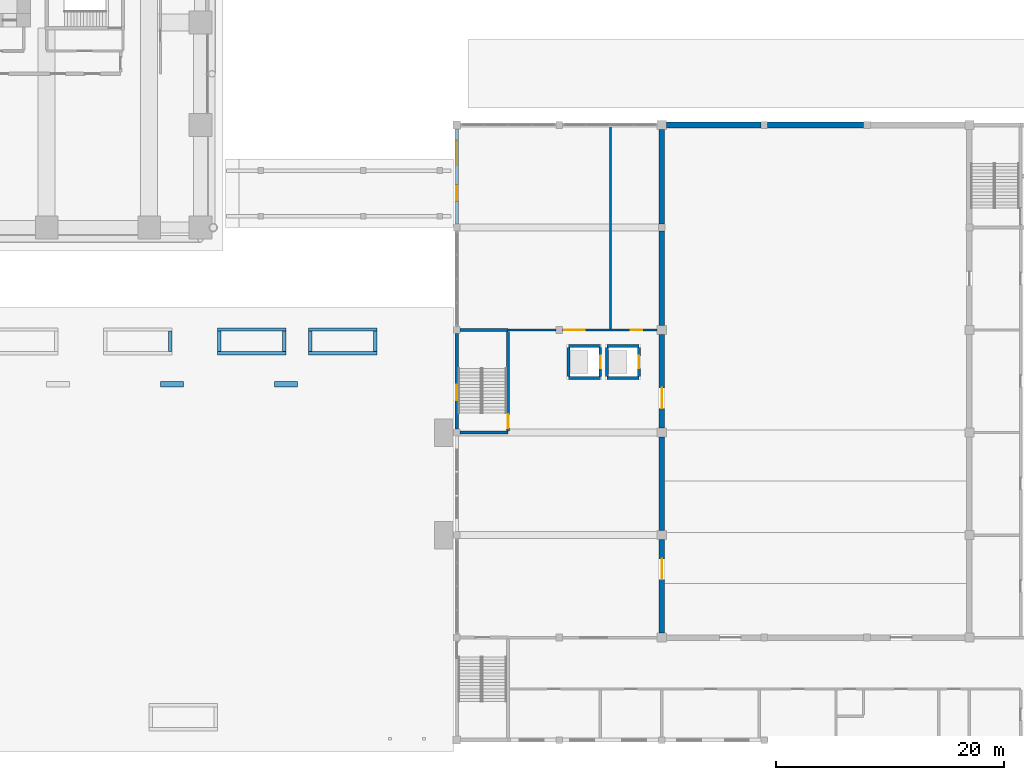
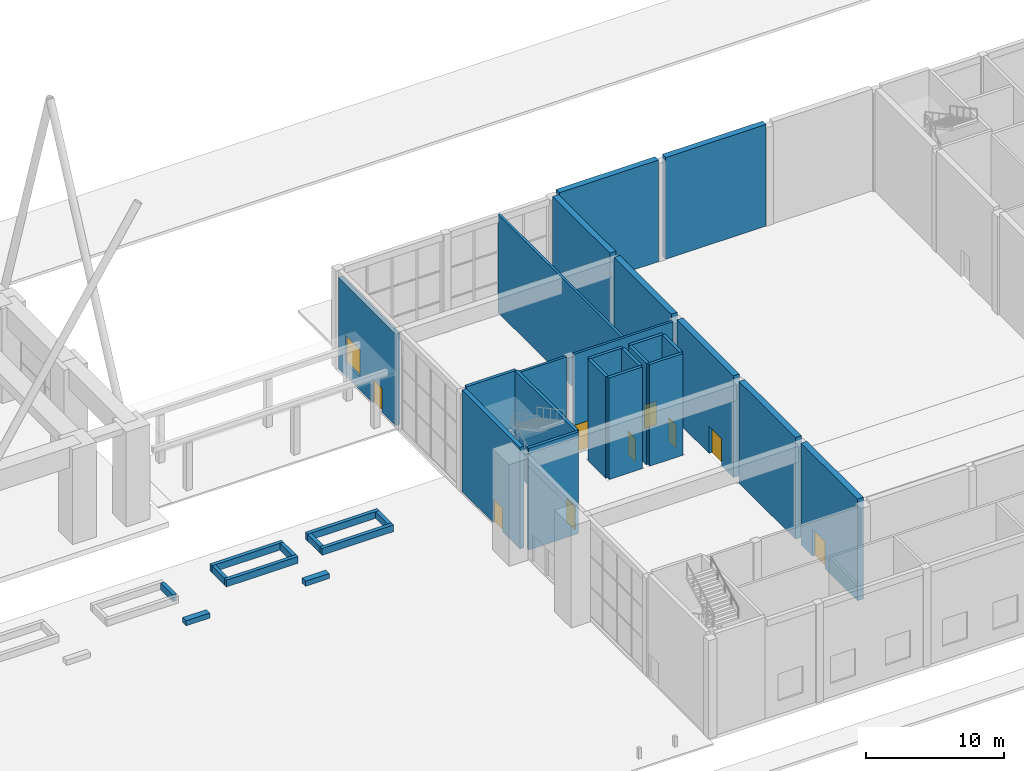
# One storey, part 30 of 44: 34 walls, 9 doors, 1 window, 10 openings.
"""IFC4 building model written with IfcOpenShell, lengths in metres."""

import ifcopenshell
import ifcopenshell.guid

model = None  # the IFC model being written
_history = None  # IfcOwnerHistory: only IFC2X3 demands one
_inside = {}  # id of a spatial element -> (the spatial element, [elements in it])
_under = {}  # id of a project, library or spatial element -> (it, [spatial elements below it])
_declared = {}  # id of a project -> (the project, [libraries it declares])
_typed = {}  # id of a type object -> (the type object, [elements of that type])
_made_of = {}  # id of a material, layer set ... -> (it, [elements and type objects made of it])


def new_model(schema):
    """Start an empty IFC model of exactly this schema.

    Asked for "IFC4X3", IfcOpenShell would pick the latest addendum, in which some entities
    have other attributes; the version numbers below select the first issue.
    IFC2X3 requires an IfcOwnerHistory on every rooted entity: one is made here for all.
    """
    global model, _history
    if schema == "IFC4X3":
        model = ifcopenshell.file(schema_version=(4, 3, 0, 0))
    else:
        model = ifcopenshell.file(schema=schema)
    _inside.clear()
    _under.clear()
    _declared.clear()
    _typed.clear()
    _made_of.clear()
    _history = None
    if model.schema == "IFC2X3":
        org = make("IfcOrganization", Name="unknown")
        user = make(
            "IfcPersonAndOrganization",
            ThePerson=make("IfcPerson", FamilyName="unknown"),
            TheOrganization=org,
        )
        app = make(
            "IfcApplication",
            ApplicationDeveloper=org,
            Version="unknown",
            ApplicationFullName="unknown",
            ApplicationIdentifier="unknown",
        )
        _history = make(
            "IfcOwnerHistory",
            OwningUser=user,
            OwningApplication=app,
            ChangeAction="ADDED",
            CreationDate=0,
        )
    return model


def make(cls, **values):
    """One entity of the class cls with the attributes given. An attribute that is None is left unset."""
    return model.create_entity(
        cls, **{name: value for name, value in values.items() if value is not None}
    )


def rooted(cls, **values):
    """An entity with a GlobalId (a new one), such as an element, a storey or a relation."""
    return make(cls, GlobalId=ifcopenshell.guid.new(), OwnerHistory=_history, **values)


def si_unit(unit_type, name, prefix=None):
    """IfcSIUnit, for example si_unit("LENGTHUNIT", "METRE", prefix="MILLI")."""
    return make("IfcSIUnit", UnitType=unit_type, Prefix=prefix, Name=name)


def assignment(units):
    """IfcUnitAssignment: the units of a project."""
    return None if units is None else make("IfcUnitAssignment", Units=units)


def point(xyz):
    """IfcCartesianPoint."""
    return None if xyz is None else make("IfcCartesianPoint", Coordinates=xyz)


def direction(xyz):
    """IfcDirection."""
    return None if xyz is None else make("IfcDirection", DirectionRatios=xyz)


def frame(location, z_axis=None, x_axis=None):
    """IfcAxis2Placement3D, a coordinate frame: its origin and axes. An axis left out is left unset."""
    return make(
        "IfcAxis2Placement3D",
        Location=point(location),
        Axis=direction(z_axis),
        RefDirection=direction(x_axis),
    )


def frame_2d(location, x_axis=None):
    """IfcAxis2Placement2D, a coordinate frame in the plane: its origin and x axis."""
    return make(
        "IfcAxis2Placement2D", Location=point(location), RefDirection=direction(x_axis)
    )


def origin():
    """The frame at (0, 0, 0) with its axes left unset."""
    return frame((0.0, 0.0, 0.0))


def place(relative_to, where):
    """IfcLocalPlacement: puts the frame where relative to a parent placement (None: the world)."""
    return make(
        "IfcLocalPlacement", PlacementRelTo=relative_to, RelativePlacement=where
    )


def context(
    kind, dimensions, precision=None, world=None, true_north=None, identifier=None
):
    """IfcGeometricRepresentationContext, for example the 3D "Model" context."""
    return make(
        "IfcGeometricRepresentationContext",
        ContextIdentifier=identifier,
        ContextType=kind,
        CoordinateSpaceDimension=dimensions,
        Precision=precision,
        WorldCoordinateSystem=world,
        TrueNorth=true_north,
    )


def subcontext(parent, identifier, kind, view, scale=None):
    """IfcGeometricRepresentationSubContext, for example "Body" below "Model"."""
    return make(
        "IfcGeometricRepresentationSubContext",
        ContextIdentifier=identifier,
        ContextType=kind,
        ParentContext=parent,
        TargetScale=scale,
        TargetView=view,
    )


def project(units=None, contexts=None):
    """IfcProject with its units and contexts."""
    return rooted(
        "IfcProject",
        Name="project",
        RepresentationContexts=contexts,
        UnitsInContext=assignment(units),
    )


def spatial(cls, under=None, at=None, **own):
    """A site, building, storey or space (cls), placed at a placement, below another one or the project."""
    s = rooted(cls, ObjectPlacement=at, **own)
    if under is not None:
        _under.setdefault(under.id(), (under, []))[1].append(s)
    return s


def profile(cls, at=None, kind="AREA", **sizes):
    """A parametric profile (cls). Its sizes go by their IFC names, for example OverallWidth=200.0."""
    return make(cls, ProfileType=kind, Position=at, **sizes)


def rectangle(**sizes):
    """IfcRectangleProfileDef."""
    return profile("IfcRectangleProfileDef", **sizes)


def extrude(swept, where, along, depth):
    """IfcExtrudedAreaSolid: the profile swept, set in the frame where, extruded along a direction by depth."""
    return make(
        "IfcExtrudedAreaSolid",
        SweptArea=swept,
        Position=where,
        ExtrudedDirection=direction(along),
        Depth=depth,
    )


def shape(context_of_items, identifier, shape_type, items):
    """IfcShapeRepresentation: the items that make up one representation, for example the "Body"."""
    return make(
        "IfcShapeRepresentation",
        ContextOfItems=context_of_items,
        RepresentationIdentifier=identifier,
        RepresentationType=shape_type,
        Items=items,
    )


def material(Name=None, Category=None):
    """IfcMaterial."""
    return make("IfcMaterial", Name=Name, Category=Category)


def layer(
    of_material, thickness, ventilated=None, Name=None, Category=None, Priority=None
):
    """IfcMaterialLayer: one layer of a wall or slab, of a material (None: an air gap)."""
    return make(
        "IfcMaterialLayer",
        Material=of_material,
        LayerThickness=thickness,
        IsVentilated=ventilated,
        Name=Name,
        Category=Category,
        Priority=Priority,
    )


def layer_set(layers, Name=None):
    """IfcMaterialLayerSet."""
    return make("IfcMaterialLayerSet", MaterialLayers=layers, LayerSetName=Name)


def made_of(thing, what):
    """Note that an element or type object is made of a material, layer set ...; save() writes the relation."""
    if what is not None:
        _made_of.setdefault(what.id(), (what, []))[1].append(thing)
    return thing


def type_object(cls, material=None, **own):
    """A type object (cls), such as IfcWallType, which elements share."""
    return made_of(rooted(cls, **own), material)


def element(
    cls,
    number,
    at=None,
    inside=None,
    cuts=None,
    type_object=None,
    material=None,
    context=None,
    identifier="Body",
    shape_type=None,
    held_by="IfcProductDefinitionShape",
    body=None,
    shapes=None,
    **own,
):
    """One element of the class cls, such as IfcWall. Its Tag is "e" and its number.

    at: its placement. inside: the storey or other place that contains it. cuts: it is an
    opening in that element (IfcRelVoidsElement). A single representation is given by context,
    identifier, shape_type and body (its items); several are given by shapes. held_by: the class
    of the entity that holds the representations. save() writes the other relations.
    """
    e = rooted(cls, Tag="e%d" % number, ObjectPlacement=at, **own)
    if body is not None:
        shapes = [shape(context, identifier, shape_type, body)]
    if shapes is not None:
        e.Representation = make(held_by, Representations=shapes)
    if inside is not None:
        _inside.setdefault(inside.id(), (inside, []))[1].append(e)
    if cuts is not None:
        rooted(
            "IfcRelVoidsElement", RelatingBuildingElement=cuts, RelatedOpeningElement=e
        )
    if type_object is not None:
        _typed.setdefault(type_object.id(), (type_object, []))[1].append(e)
    return made_of(e, material)


def fill(opening, filler):
    """IfcRelFillsElement: the door or window that sits in an opening."""
    return rooted(
        "IfcRelFillsElement",
        RelatingOpeningElement=opening,
        RelatedBuildingElement=filler,
    )


def aggregate(whole, parts):
    """IfcRelAggregates: a whole, such as a stair, and the parts it consists of."""
    return rooted("IfcRelAggregates", RelatingObject=whole, RelatedObjects=parts)


def save(model, path):
    """Write the relations noted so far, then the file.

    IfcRelAggregates (storeys below a building ...), IfcRelContainedInSpatialStructure (elements
    in a storey), IfcRelDefinesByType, IfcRelAssociatesMaterial and IfcRelDeclares: one each for
    every whole, place, type object, material and project.
    """
    for whole, parts in _under.values():
        aggregate(whole, parts)
    for where, things in _inside.values():
        rooted(
            "IfcRelContainedInSpatialStructure",
            RelatedElements=things,
            RelatingStructure=where,
        )
    for kind, things in _typed.values():
        rooted("IfcRelDefinesByType", RelatedObjects=things, RelatingType=kind)
    for what, things in _made_of.values():
        rooted("IfcRelAssociatesMaterial", RelatedObjects=things, RelatingMaterial=what)
    for by, libraries in _declared.values():
        rooted("IfcRelDeclares", RelatingContext=by, RelatedDefinitions=libraries)
    model.write(path)


model = new_model("IFC4")

# Units and contexts
model_context = context("Model", 3, precision=1e-05, world=origin(), true_north=direction((0.0, 1.0)))
body_context = subcontext(model_context, "Body", "Model", "MODEL_VIEW")
ifc_project = project(units=[si_unit("LENGTHUNIT", "METRE"), si_unit("AREAUNIT", "SQUARE_METRE"), si_unit("VOLUMEUNIT", "CUBIC_METRE"), si_unit("PLANEANGLEUNIT", "RADIAN"), si_unit("MASSUNIT", "GRAM", prefix="KILO")], contexts=[model_context])

# Site, building, storey
site_placement = place(None, origin())
site = spatial("IfcSite", under=ifc_project, at=site_placement, CompositionType="ELEMENT")
building_placement = place(site_placement, origin())
building = spatial("IfcBuilding", under=site, at=building_placement, Name="Firuza Court", CompositionType="ELEMENT")
storey_placement = place(building_placement, origin())
storey = spatial("IfcBuildingStorey", under=building, at=storey_placement, Name="L00", CompositionType="ELEMENT", Elevation=0.0)

# Walls
ifc_material_1 = material(Name="Concrete C30/37", Category="concrete")
ifc_layer_1 = layer(ifc_material_1, 0.5)
ifc_layer_set_1 = layer_set([ifc_layer_1], Name="Concrete C30/37")
wall_type_1 = type_object("IfcWallType", Name="HALL BENCH BLOCK 2000X500", PredefinedType="STANDARD", material=ifc_layer_set_1)
for number, where, z_axis, x_axis, name in (
    (1, (64.0, 22.25, 0.0), (0.0, 0.0, 1.0), (1.0, 0.0, 0.0), "BENCH 4"),
    (2, (74.0, 22.25, 0.0), (0.0, 0.0, 1.0), (1.0, 0.0, 0.0), "BENCH 5"),
):
    element("IfcWall", number, at=place(storey_placement, frame(where, z_axis=z_axis, x_axis=x_axis)), inside=storey, type_object=wall_type_1, Name=name, ObjectType="BENCH", PredefinedType="USERDEFINED", context=body_context, shape_type="SweptSolid", body=[
        extrude(rectangle(XDim=2.0, YDim=0.5, at=frame_2d((1.0, 0.0))), origin(), (0.0, 0.0, 1.0), 0.449951171875),
    ])
ifc_material_2 = material(Name="Blockwork", Category="masonry")
ifc_layer_2 = layer(ifc_material_2, 0.199951171875)
ifc_layer_set_2 = layer_set([ifc_layer_2], Name="Blockwork")
wall_type_2 = type_object("IfcWallType", Name="HALL PARTITION 200", PredefinedType="STANDARD", material=ifc_layer_set_2)
wall_1_placement = place(storey_placement, frame((94.5, 27.0, 0.0), z_axis=(0.0, 0.0, 1.0), x_axis=(1.0, 0.0, 0.0)))
element("IfcWall", 3, at=wall_1_placement, inside=storey, type_object=wall_type_2, Name="Wall L00.33", PredefinedType="STANDARD", context=body_context, shape_type="SweptSolid", body=[
    extrude(rectangle(XDim=4.199951171875, YDim=0.199951171875, at=frame_2d((2.10009765625, 0.0))), origin(), (0.0, 0.0, 1.0), 8.699951171875),
])

# Wall, openings, doors
wall_2_placement = place(storey_placement, frame((99.300048828125, 27.0, 0.0), z_axis=(0.0, 0.0, 1.0), x_axis=(1.0, 0.0, 0.0)))
wall_2 = element("IfcWall", 4, at=wall_2_placement, inside=storey, type_object=wall_type_2, Name="Wall L00.34", PredefinedType="STANDARD", context=body_context, shape_type="SweptSolid", body=[
    extrude(rectangle(XDim=8.300048828125, YDim=0.199951171875, at=frame_2d((4.14990234375, 0.0))), origin(), (0.0, 0.0, 1.0), 8.699951171875),
])
opening_1_placement = place(wall_2_placement, frame((0.1201171875, 0.0, 0.0)))
opening_1 = element("IfcOpeningElement", 5, at=opening_1_placement, cuts=wall_2, Name="Opening H041", PredefinedType="OPENING", context=body_context, shape_type="SweptSolid", body=[
    extrude(rectangle(XDim=1.800048828125, YDim=2.39990234375, at=frame_2d((0.89990234375, 1.199951171875))), frame((0.0, 0.11181640625, 0.0), z_axis=(0.0, -1.0, 0.0), x_axis=(1.0, 0.0, 0.0)), (0.0, 0.0, 1.0), 0.223876953125),
])
opening_2_placement = place(wall_2_placement, frame((5.969970703125, 0.0, 0.0)))
opening_2 = element("IfcOpeningElement", 6, at=opening_2_placement, cuts=wall_2, Name="Opening H042", PredefinedType="OPENING", context=body_context, shape_type="SweptSolid", body=[
    extrude(rectangle(XDim=1.0, YDim=2.10009765625, at=frame_2d((0.5, 1.050048828125))), frame((0.0, 0.11181640625, 0.0), z_axis=(0.0, -1.0, 0.0), x_axis=(1.0, 0.0, 0.0)), (0.0, 0.0, 1.0), 0.223876953125),
])
ifc_material_3 = material(Name="Timber", Category="wood")
door_type_1 = type_object("IfcDoorType", Name="HALL DOOR 1000X2100", OperationType="SINGLE_SWING_LEFT", PredefinedType="DOOR", material=ifc_material_3)
door_1_placement = place(opening_2_placement, origin())
door_1 = element("IfcDoor", 7, at=door_1_placement, inside=storey, type_object=door_type_1, Name="Door Bar", OperationType="SINGLE_SWING_RIGHT", OverallHeight=2.10009765625, OverallWidth=1.0, PredefinedType="DOOR", context=body_context, shape_type="SweptSolid", body=[
    extrude(rectangle(XDim=1.0, YDim=2.10009765625, at=frame_2d((0.5, 1.050048828125))), frame((0.0, 0.02490234375, 0.0), z_axis=(0.0, -1.0, 0.0), x_axis=(1.0, 0.0, 0.0)), (0.0, 0.0, 1.0), 0.050048828125),
])
fill(opening_2, door_1)
ifc_material_4 = material(Name="Timber", Category="wood")
door_type_2 = type_object("IfcDoorType", Name="HALL DOOR 1800X2400", OperationType="DOUBLE_DOOR_SINGLE_SWING", PredefinedType="DOOR", material=ifc_material_4)
door_2_placement = place(opening_1_placement, origin())
door_2 = element("IfcDoor", 8, at=door_2_placement, inside=storey, type_object=door_type_2, Name="Door Cafe", OperationType="DOUBLE_DOOR_SINGLE_SWING", OverallHeight=2.39990234375, OverallWidth=1.800048828125, PredefinedType="DOOR", context=body_context, shape_type="SweptSolid", body=[
    extrude(rectangle(XDim=1.800048828125, YDim=2.39990234375, at=frame_2d((0.89990234375, 1.199951171875))), frame((0.0, 0.02490234375, 0.0), z_axis=(0.0, -1.0, 0.0), x_axis=(1.0, 0.0, 0.0)), (0.0, 0.0, 1.0), 0.050048828125),
])
fill(opening_1, door_2)

# Walls
wall_3_placement = place(storey_placement, frame((103.5, 27.10009765625, 0.0), z_axis=(0.0, 0.0, 1.0), x_axis=(0.0, 1.0, 0.0)))
element("IfcWall", 9, at=wall_3_placement, inside=storey, type_object=wall_type_2, Name="Wall L00.56", PredefinedType="STANDARD", context=body_context, shape_type="SweptSolid", body=[
    extrude(rectangle(XDim=17.89990234375, YDim=0.199951171875, at=frame_2d((8.949951171875, 0.0))), origin(), (0.0, 0.0, 1.0), 8.699951171875),
])
ifc_layer_3 = layer(ifc_material_1, 0.300048828125)
ifc_layer_set_3 = layer_set([ifc_layer_3], Name="Concrete C30/37")
wall_type_3 = type_object("IfcWallType", Name="HALL PLANTER WALL 300", PredefinedType="STANDARD", material=ifc_layer_set_3)
wall_4_placement = place(storey_placement, frame((64.85009765625, 25.10009765625, 0.0), z_axis=(0.0, 0.0, 1.0), x_axis=(0.0, 1.0, 0.0)))
element("IfcWall", 10, at=wall_4_placement, inside=storey, type_object=wall_type_3, Name="PLANTER 4 east wall", ObjectType="PLANTER", PredefinedType="USERDEFINED", context=body_context, shape_type="SweptSolid", body=[
    extrude(rectangle(XDim=1.7998046875, YDim=0.300048828125, at=frame_2d((0.89990234375, 0.0))), origin(), (0.0, 0.0, 1.0), 0.60009765625),
])
for number, where, z_axis, x_axis, name in (
    (11, (69.0, 27.050048828125, 0.0), (0.0, 0.0, 1.0), (1.0, 0.0, 0.0), "PLANTER 5 north wall"),
    (12, (69.0, 24.949951171875, 0.0), (0.0, 0.0, 1.0), (1.0, 0.0, 0.0), "PLANTER 5 south wall"),
):
    element("IfcWall", number, at=place(storey_placement, frame(where, z_axis=z_axis, x_axis=x_axis)), inside=storey, type_object=wall_type_3, Name=name, ObjectType="PLANTER", PredefinedType="USERDEFINED", context=body_context, shape_type="SweptSolid", body=[
        extrude(rectangle(XDim=6.0, YDim=0.300048828125, at=frame_2d((3.0, 0.0))), origin(), (0.0, 0.0, 1.0), 0.60009765625),
    ])
for number, where, z_axis, x_axis, name in (
    (13, (74.85009765625, 25.10009765625, 0.0), (0.0, 0.0, 1.0), (0.0, 1.0, 0.0), "PLANTER 5 east wall"),
    (14, (69.14990234375, 25.10009765625, 0.0), (0.0, 0.0, 1.0), (0.0, 1.0, 0.0), "PLANTER 5 west wall"),
):
    element("IfcWall", number, at=place(storey_placement, frame(where, z_axis=z_axis, x_axis=x_axis)), inside=storey, type_object=wall_type_3, Name=name, ObjectType="PLANTER", PredefinedType="USERDEFINED", context=body_context, shape_type="SweptSolid", body=[
        extrude(rectangle(XDim=1.7998046875, YDim=0.300048828125, at=frame_2d((0.89990234375, 0.0))), origin(), (0.0, 0.0, 1.0), 0.60009765625),
    ])
for number, where, z_axis, x_axis, name in (
    (15, (77.0, 27.050048828125, 0.0), (0.0, 0.0, 1.0), (1.0, 0.0, 0.0), "PLANTER 6 north wall"),
    (16, (77.0, 24.949951171875, 0.0), (0.0, 0.0, 1.0), (1.0, 0.0, 0.0), "PLANTER 6 south wall"),
):
    element("IfcWall", number, at=place(storey_placement, frame(where, z_axis=z_axis, x_axis=x_axis)), inside=storey, type_object=wall_type_3, Name=name, ObjectType="PLANTER", PredefinedType="USERDEFINED", context=body_context, shape_type="SweptSolid", body=[
        extrude(rectangle(XDim=6.0, YDim=0.300048828125, at=frame_2d((3.0, 0.0))), origin(), (0.0, 0.0, 1.0), 0.60009765625),
    ])
for number, where, z_axis, x_axis, name in (
    (17, (82.85009765625, 25.10009765625, 0.0), (0.0, 0.0, 1.0), (0.0, 1.0, 0.0), "PLANTER 6 east wall"),
    (18, (77.14990234375, 25.10009765625, 0.0), (0.0, 0.0, 1.0), (0.0, 1.0, 0.0), "PLANTER 6 west wall"),
):
    element("IfcWall", number, at=place(storey_placement, frame(where, z_axis=z_axis, x_axis=x_axis)), inside=storey, type_object=wall_type_3, Name=name, ObjectType="PLANTER", PredefinedType="USERDEFINED", context=body_context, shape_type="SweptSolid", body=[
        extrude(rectangle(XDim=1.7998046875, YDim=0.300048828125, at=frame_2d((0.89990234375, 0.0))), origin(), (0.0, 0.0, 1.0), 0.60009765625),
    ])
ifc_material_5 = material(Name="Concrete C40/50", Category="concrete")
ifc_layer_4 = layer(ifc_material_5, 0.25)
ifc_layer_set_4 = layer_set([ifc_layer_4], Name="Concrete C40/50")
wall_type_4 = type_object("IfcWallType", Name="HALL RC WALL 250", PredefinedType="STANDARD", material=ifc_layer_set_4)
wall_5_placement = place(storey_placement, frame((90.300048828125, 18.0, 0.0), z_axis=(0.0, 0.0, 1.0), x_axis=(1.0, 0.0, 0.0)))
element("IfcWall", 19, at=wall_5_placement, inside=storey, type_object=wall_type_4, Name="Wall L00.26", PredefinedType="STANDARD", context=body_context, shape_type="SweptSolid", body=[
    extrude(rectangle(XDim=4.199951171875, YDim=0.25, at=frame_2d((2.10009765625, 0.0))), origin(), (0.0, 0.0, 1.0), 9.0),
])
for number, where, z_axis, x_axis, name in (
    (20, (99.800048828125, 22.800048828125, 0.0), (0.0, 0.0, 1.0), (1.0, 0.0, 0.0), "Wall L00.28"),
    (21, (103.199951171875, 22.800048828125, 0.0), (0.0, 0.0, 1.0), (1.0, 0.0, 0.0), "Wall L00.29"),
    (22, (99.800048828125, 25.60009765625, 0.0), (0.0, 0.0, 1.0), (1.0, 0.0, 0.0), "Wall L00.30"),
    (23, (103.199951171875, 25.60009765625, 0.0), (0.0, 0.0, 1.0), (1.0, 0.0, 0.0), "Wall L00.31"),
):
    element("IfcWall", number, at=place(storey_placement, frame(where, z_axis=z_axis, x_axis=x_axis)), inside=storey, type_object=wall_type_4, Name=name, PredefinedType="STANDARD", context=body_context, shape_type="SweptSolid", body=[
        extrude(rectangle(XDim=2.800048828125, YDim=0.25, at=frame_2d((1.39990234375, 0.0))), origin(), (0.0, 0.0, 1.0), 9.0),
    ])
wall_6_placement = place(storey_placement, frame((90.300048828125, 27.0, 0.0), z_axis=(0.0, 0.0, 1.0), x_axis=(1.0, 0.0, 0.0)))
element("IfcWall", 24, at=wall_6_placement, inside=storey, type_object=wall_type_4, Name="Wall L00.32", PredefinedType="STANDARD", context=body_context, shape_type="SweptSolid", body=[
    extrude(rectangle(XDim=4.199951171875, YDim=0.25, at=frame_2d((2.10009765625, 0.0))), origin(), (0.0, 0.0, 1.0), 9.0),
])

# Wall, opening, door
wall_7_placement = place(storey_placement, frame((94.5, 18.125, 0.0), z_axis=(0.0, 0.0, 1.0), x_axis=(0.0, 1.0, 0.0)))
wall_7 = element("IfcWall", 25, at=wall_7_placement, inside=storey, type_object=wall_type_4, Name="Wall L00.51", PredefinedType="STANDARD", context=body_context, shape_type="SweptSolid", body=[
    extrude(rectangle(XDim=8.75, YDim=0.25, at=frame_2d((4.375, 0.0))), origin(), (0.0, 0.0, 1.0), 9.0),
])
opening_3_placement = place(wall_7_placement, frame((0.27001953125, 0.0, 0.0)))
opening_3 = element("IfcOpeningElement", 26, at=opening_3_placement, cuts=wall_7, Name="Opening H037", PredefinedType="OPENING", context=body_context, shape_type="SweptSolid", body=[
    extrude(rectangle(XDim=1.199951171875, YDim=2.10009765625, at=frame_2d((0.60009765625, 1.050048828125))), frame((0.0, 0.136962890625, 0.0), z_axis=(0.0, -1.0, 0.0), x_axis=(1.0, 0.0, 0.0)), (0.0, 0.0, 1.0), 0.27392578125),
])
ifc_material_6 = material(Name="Timber", Category="wood")
door_type_3 = type_object("IfcDoorType", Name="HALL DOOR 1200X2100", OperationType="SINGLE_SWING_LEFT", PredefinedType="DOOR", material=ifc_material_6)
door_3_placement = place(opening_3_placement, frame((1.199951171875, 0.0, 0.0), z_axis=(0.0, 0.0, 1.0), x_axis=(-1.0, 0.0, 0.0)))
door_3 = element("IfcDoor", 27, at=door_3_placement, inside=storey, type_object=door_type_3, Name="Stair H3 door", OperationType="SINGLE_SWING_RIGHT", OverallHeight=2.10009765625, OverallWidth=1.199951171875, PredefinedType="DOOR", context=body_context, shape_type="SweptSolid", body=[
    extrude(rectangle(XDim=1.199951171875, YDim=2.10009765625, at=frame_2d((0.60009765625, 1.050048828125))), frame((0.0, 0.02490234375, 0.0), z_axis=(0.0, -1.0, 0.0), x_axis=(1.0, 0.0, 0.0)), (0.0, 0.0, 1.0), 0.050048828125),
])
fill(opening_3, door_3)

# Wall
wall_8_placement = place(storey_placement, frame((99.800048828125, 22.925048828125, 0.0), z_axis=(0.0, 0.0, 1.0), x_axis=(0.0, 1.0, 0.0)))
element("IfcWall", 28, at=wall_8_placement, inside=storey, type_object=wall_type_4, Name="Wall L00.52", PredefinedType="STANDARD", context=body_context, shape_type="SweptSolid", body=[
    extrude(rectangle(XDim=2.550048828125, YDim=0.25, at=frame_2d((1.27490234375, 0.0))), origin(), (0.0, 0.0, 1.0), 9.0),
])

# Wall, opening, door
wall_9_placement = place(storey_placement, frame((102.60009765625, 22.925048828125, 0.0), z_axis=(0.0, 0.0, 1.0), x_axis=(0.0, 1.0, 0.0)))
wall_9 = element("IfcWall", 29, at=wall_9_placement, inside=storey, type_object=wall_type_4, Name="Wall L00.54", PredefinedType="STANDARD", context=body_context, shape_type="SweptSolid", body=[
    extrude(rectangle(XDim=2.550048828125, YDim=0.25, at=frame_2d((1.27490234375, 0.0))), origin(), (0.0, 0.0, 1.0), 9.0),
])
opening_4_placement = place(wall_9_placement, frame((0.719970703125, 0.0, 0.0)))
opening_4 = element("IfcOpeningElement", 30, at=opening_4_placement, cuts=wall_9, Name="Opening LD", PredefinedType="OPENING", context=body_context, shape_type="SweptSolid", body=[
    extrude(rectangle(XDim=1.10009765625, YDim=2.10009765625, at=frame_2d((0.550048828125, 1.050048828125))), frame((0.0, 0.136962890625, 0.0), z_axis=(0.0, -1.0, 0.0), x_axis=(1.0, 0.0, 0.0)), (0.0, 0.0, 1.0), 0.27392578125),
])
ifc_material_7 = material(Name="Stainless steel", Category="steel")
door_type_4 = type_object("IfcDoorType", Name="HALL LANDING DOOR 1100X2100", OperationType="SLIDING_TO_LEFT", PredefinedType="DOOR", material=ifc_material_7)
door_4_placement = place(opening_4_placement, origin())
door_4 = element("IfcDoor", 31, at=door_4_placement, inside=storey, type_object=door_type_4, Name="Landing door PL1 L00", OperationType="SLIDING_TO_LEFT", OverallHeight=2.10009765625, OverallWidth=1.10009765625, PredefinedType="DOOR", context=body_context, shape_type="SweptSolid", body=[
    extrude(rectangle(XDim=1.10009765625, YDim=2.10009765625, at=frame_2d((0.550048828125, 1.050048828125))), frame((0.0, 0.02490234375, 0.0), z_axis=(0.0, -1.0, 0.0), x_axis=(1.0, 0.0, 0.0)), (0.0, 0.0, 1.0), 0.050048828125),
])
fill(opening_4, door_4)

# Wall
wall_10_placement = place(storey_placement, frame((103.199951171875, 22.925048828125, 0.0), z_axis=(0.0, 0.0, 1.0), x_axis=(0.0, 1.0, 0.0)))
element("IfcWall", 32, at=wall_10_placement, inside=storey, type_object=wall_type_4, Name="Wall L00.55", PredefinedType="STANDARD", context=body_context, shape_type="SweptSolid", body=[
    extrude(rectangle(XDim=2.550048828125, YDim=0.25, at=frame_2d((1.27490234375, 0.0))), origin(), (0.0, 0.0, 1.0), 9.0),
])

# Wall, opening, door
wall_11_placement = place(storey_placement, frame((106.0, 22.925048828125, 0.0), z_axis=(0.0, 0.0, 1.0), x_axis=(0.0, 1.0, 0.0)))
wall_11 = element("IfcWall", 33, at=wall_11_placement, inside=storey, type_object=wall_type_4, Name="Wall L00.57", PredefinedType="STANDARD", context=body_context, shape_type="SweptSolid", body=[
    extrude(rectangle(XDim=2.550048828125, YDim=0.25, at=frame_2d((1.27490234375, 0.0))), origin(), (0.0, 0.0, 1.0), 9.0),
])
opening_5_placement = place(wall_11_placement, frame((0.719970703125, 0.0, 0.0)))
opening_5 = element("IfcOpeningElement", 34, at=opening_5_placement, cuts=wall_11, Name="Opening LD", PredefinedType="OPENING", context=body_context, shape_type="SweptSolid", body=[
    extrude(rectangle(XDim=1.10009765625, YDim=2.10009765625, at=frame_2d((0.550048828125, 1.050048828125))), frame((0.0, 0.136962890625, 0.0), z_axis=(0.0, -1.0, 0.0), x_axis=(1.0, 0.0, 0.0)), (0.0, 0.0, 1.0), 0.27392578125),
])
door_5_placement = place(opening_5_placement, origin())
door_5 = element("IfcDoor", 35, at=door_5_placement, inside=storey, type_object=door_type_4, Name="Landing door PL2 L00", OperationType="SLIDING_TO_LEFT", OverallHeight=2.10009765625, OverallWidth=1.10009765625, PredefinedType="DOOR", context=body_context, shape_type="SweptSolid", body=[
    extrude(rectangle(XDim=1.10009765625, YDim=2.10009765625, at=frame_2d((0.550048828125, 1.050048828125))), frame((0.0, 0.02490234375, 0.0), z_axis=(0.0, -1.0, 0.0), x_axis=(1.0, 0.0, 0.0)), (0.0, 0.0, 1.0), 0.050048828125),
])
fill(opening_5, door_5)

ifc_layer_5 = layer(ifc_material_5, 0.5)
ifc_layer_set_5 = layer_set([ifc_layer_5], Name="Concrete C40/50")
wall_type_5 = type_object("IfcWallType", Name="HALL RC WALL 500", PredefinedType="STANDARD", material=ifc_layer_set_5)
wall_12_placement = place(storey_placement, frame((108.0, 0.39990234375, 0.0), z_axis=(0.0, 0.0, 1.0), x_axis=(0.0, 1.0, 0.0)))
wall_12 = element("IfcWall", 36, at=wall_12_placement, inside=storey, type_object=wall_type_5, Name="Wall L00.59", PredefinedType="STANDARD", context=body_context, shape_type="SweptSolid", body=[
    extrude(rectangle(XDim=8.2001953125, YDim=0.5, at=frame_2d((4.10009765625, 0.0))), origin(), (0.0, 0.0, 1.0), 9.0),
])
opening_6_placement = place(wall_12_placement, frame((4.719970703125, 0.0, 0.0)))
opening_6 = element("IfcOpeningElement", 37, at=opening_6_placement, cuts=wall_12, Name="Opening H016", PredefinedType="OPENING", context=body_context, shape_type="SweptSolid", body=[
    extrude(rectangle(XDim=1.800048828125, YDim=2.39990234375, at=frame_2d((0.89990234375, 1.199951171875))), frame((0.0, 0.261962890625, 0.0), z_axis=(0.0, -1.0, 0.0), x_axis=(1.0, 0.0, 0.0)), (0.0, 0.0, 1.0), 0.52392578125),
])
door_6_placement = place(opening_6_placement, origin())
door_6 = element("IfcDoor", 38, at=door_6_placement, inside=storey, type_object=door_type_2, Name="Exit door stalls west 1", OperationType="DOUBLE_DOOR_SINGLE_SWING", OverallHeight=2.39990234375, OverallWidth=1.800048828125, PredefinedType="DOOR", context=body_context, shape_type="SweptSolid", body=[
    extrude(rectangle(XDim=1.800048828125, YDim=2.39990234375, at=frame_2d((0.89990234375, 1.199951171875))), frame((0.0, 0.02490234375, 0.0), z_axis=(0.0, -1.0, 0.0), x_axis=(1.0, 0.0, 0.0)), (0.0, 0.0, 1.0), 0.050048828125),
])
fill(opening_6, door_6)

# Wall
wall_13_placement = place(storey_placement, frame((108.0, 9.39990234375, 0.0), z_axis=(0.0, 0.0, 1.0), x_axis=(0.0, 1.0, 0.0)))
element("IfcWall", 39, at=wall_13_placement, inside=storey, type_object=wall_type_5, Name="Wall L00.60", PredefinedType="STANDARD", context=body_context, shape_type="SweptSolid", body=[
    extrude(rectangle(XDim=8.2001953125, YDim=0.5, at=frame_2d((4.10009765625, 0.0))), origin(), (0.0, 0.0, 1.0), 9.0),
])

# Wall, opening, door
wall_14_placement = place(storey_placement, frame((108.0, 18.39990234375, 0.0), z_axis=(0.0, 0.0, 1.0), x_axis=(0.0, 1.0, 0.0)))
wall_14 = element("IfcWall", 40, at=wall_14_placement, inside=storey, type_object=wall_type_5, Name="Wall L00.61", PredefinedType="STANDARD", context=body_context, shape_type="SweptSolid", body=[
    extrude(rectangle(XDim=8.2001953125, YDim=0.5, at=frame_2d((4.10009765625, 0.0))), origin(), (0.0, 0.0, 1.0), 9.0),
])
opening_7_placement = place(wall_14_placement, frame((1.719970703125, 0.0, 0.0)))
opening_7 = element("IfcOpeningElement", 41, at=opening_7_placement, cuts=wall_14, Name="Opening H017", PredefinedType="OPENING", context=body_context, shape_type="SweptSolid", body=[
    extrude(rectangle(XDim=1.800048828125, YDim=2.39990234375, at=frame_2d((0.89990234375, 1.199951171875))), frame((0.0, 0.261962890625, 0.0), z_axis=(0.0, -1.0, 0.0), x_axis=(1.0, 0.0, 0.0)), (0.0, 0.0, 1.0), 0.52392578125),
])
door_7_placement = place(opening_7_placement, origin())
door_7 = element("IfcDoor", 42, at=door_7_placement, inside=storey, type_object=door_type_2, Name="Exit door stalls west 2", OperationType="DOUBLE_DOOR_SINGLE_SWING", OverallHeight=2.39990234375, OverallWidth=1.800048828125, PredefinedType="DOOR", context=body_context, shape_type="SweptSolid", body=[
    extrude(rectangle(XDim=1.800048828125, YDim=2.39990234375, at=frame_2d((0.89990234375, 1.199951171875))), frame((0.0, 0.02490234375, 0.0), z_axis=(0.0, -1.0, 0.0), x_axis=(1.0, 0.0, 0.0)), (0.0, 0.0, 1.0), 0.050048828125),
])
fill(opening_7, door_7)

# Walls
for number, where, z_axis, x_axis, name in (
    (43, (108.0, 27.39990234375, 0.0), (0.0, 0.0, 1.0), (0.0, 1.0, 0.0), "Wall L00.62"),
    (44, (108.0, 36.300048828125, 0.0), (0.0, 0.0, 1.0), (0.0, 1.0, 0.0), "Wall L00.63"),
):
    element("IfcWall", number, at=place(storey_placement, frame(where, z_axis=z_axis, x_axis=x_axis)), inside=storey, type_object=wall_type_5, Name=name, PredefinedType="STANDARD", context=body_context, shape_type="SweptSolid", body=[
        extrude(rectangle(XDim=8.300048828125, YDim=0.5, at=frame_2d((4.14990234375, 0.0))), origin(), (0.0, 0.0, 1.0), 9.0),
    ])
ifc_material_8 = material(Name="Concrete C30/37", Category="concrete")
ifc_layer_6 = layer(ifc_material_8, 0.300048828125)
ifc_material_9 = material(Name="Ceramic tile", Category="ceramic")
ifc_layer_7 = layer(ifc_material_9, 0.050048828125)
ifc_layer_set_6 = layer_set([ifc_layer_6, ifc_layer_7], Name="Concrete C30/37")
wall_type_6 = type_object("IfcWallType", Name="HALL TILE CLAD WALL 350", PredefinedType="STANDARD", material=ifc_layer_set_6)
wall_15_placement = place(storey_placement, frame((108.39990234375, 45.0, 0.0), z_axis=(0.0, 0.0, 1.0), x_axis=(1.0, 0.0, 0.0)))
element("IfcWall", 45, at=wall_15_placement, inside=storey, type_object=wall_type_6, Name="Wall L00.40", PredefinedType="STANDARD", context=body_context, shape_type="SweptSolid", body=[
    extrude(rectangle(XDim=8.300048828125, YDim=0.5, at=frame_2d((4.14990234375, 0.0))), origin(), (0.0, 0.0, 1.0), 9.0),
])
wall_16_placement = place(storey_placement, frame((117.300048828125, 45.0, 0.0), z_axis=(0.0, 0.0, 1.0), x_axis=(1.0, 0.0, 0.0)))
element("IfcWall", 46, at=wall_16_placement, inside=storey, type_object=wall_type_6, Name="Wall L00.41", PredefinedType="STANDARD", context=body_context, shape_type="SweptSolid", body=[
    extrude(rectangle(XDim=8.39990234375, YDim=0.5, at=frame_2d((4.199951171875, 0.0))), origin(), (0.0, 0.0, 1.0), 9.0),
])

# Wall, opening, door
wall_17_placement = place(storey_placement, frame((90.0, 18.300048828125, 0.0), z_axis=(0.0, 0.0, 1.0), x_axis=(0.0, 1.0, 0.0)))
wall_17 = element("IfcWall", 47, at=wall_17_placement, inside=storey, type_object=wall_type_6, Name="Wall L00.48", PredefinedType="STANDARD", context=body_context, shape_type="SweptSolid", body=[
    extrude(rectangle(XDim=8.39990234375, YDim=0.35009765625, at=frame_2d((4.199951171875, 0.0))), origin(), (0.0, 0.0, 1.0), 9.0),
])
opening_8_placement = place(wall_17_placement, frame((2.52001953125, 0.0, 0.0)))
opening_8 = element("IfcOpeningElement", 48, at=opening_8_placement, cuts=wall_17, Name="Opening H032", PredefinedType="OPENING", context=body_context, shape_type="SweptSolid", body=[
    extrude(rectangle(XDim=1.39990234375, YDim=2.10009765625, at=frame_2d((0.699951171875, 1.050048828125))), frame((0.0, 0.18701171875, 0.0), z_axis=(0.0, -1.0, 0.0), x_axis=(1.0, 0.0, 0.0)), (0.0, 0.0, 1.0), 0.3740234375),
])
ifc_material_10 = material(Name="Timber", Category="wood")
door_type_5 = type_object("IfcDoorType", Name="HALL DOOR 1400X2100", OperationType="DOUBLE_DOOR_SINGLE_SWING", PredefinedType="DOOR", material=ifc_material_10)
door_8_placement = place(opening_8_placement, origin())
door_8 = element("IfcDoor", 49, at=door_8_placement, inside=storey, type_object=door_type_5, Name="Exit door stair H3", OperationType="DOUBLE_DOOR_SINGLE_SWING", OverallHeight=2.10009765625, OverallWidth=1.39990234375, PredefinedType="DOOR", context=body_context, shape_type="SweptSolid", body=[
    extrude(rectangle(XDim=1.39990234375, YDim=2.10009765625, at=frame_2d((0.699951171875, 1.050048828125))), frame((0.0, 0.02490234375, 0.0), z_axis=(0.0, -1.0, 0.0), x_axis=(1.0, 0.0, 0.0)), (0.0, 0.0, 1.0), 0.050048828125),
])
fill(opening_8, door_8)

# Wall, openings, door, window
wall_18_placement = place(storey_placement, frame((90.0, 36.300048828125, 0.0), z_axis=(0.0, 0.0, 1.0), x_axis=(0.0, 1.0, 0.0)))
wall_18 = element("IfcWall", 50, at=wall_18_placement, inside=storey, type_object=wall_type_6, Name="Wall L00.49", PredefinedType="STANDARD", context=body_context, shape_type="SweptSolid", body=[
    extrude(rectangle(XDim=8.349853515625, YDim=0.35009765625, at=frame_2d((4.1748046875, 0.0))), origin(), (0.0, 0.0, 1.0), 8.10009765625),
])
opening_9_placement = place(wall_18_placement, frame((2.02001953125, 0.0, 0.0)))
opening_9 = element("IfcOpeningElement", 51, at=opening_9_placement, cuts=wall_18, Name="Opening H029", PredefinedType="OPENING", context=body_context, shape_type="SweptSolid", body=[
    extrude(rectangle(XDim=1.39990234375, YDim=2.10009765625, at=frame_2d((0.699951171875, 1.050048828125))), frame((0.0, 0.18701171875, 0.0), z_axis=(0.0, -1.0, 0.0), x_axis=(1.0, 0.0, 0.0)), (0.0, 0.0, 1.0), 0.3740234375),
])
opening_10_placement = place(wall_18_placement, frame((5.21240234375, 0.0, 1.199951171875)))
opening_10 = element("IfcOpeningElement", 52, at=opening_10_placement, cuts=wall_18, Name="Opening HW-3", PredefinedType="OPENING", context=body_context, shape_type="SweptSolid", body=[
    extrude(rectangle(XDim=2.10009765625, YDim=2.39990234375, at=frame_2d((1.050048828125, 1.199951171875))), frame((0.0, 0.18701171875, 0.0), z_axis=(0.0, -1.0, 0.0), x_axis=(1.0, 0.0, 0.0)), (0.0, 0.0, 1.0), 0.3740234375),
])
door_9_placement = place(opening_9_placement, origin())
door_9 = element("IfcDoor", 53, at=door_9_placement, inside=storey, type_object=door_type_5, Name="Exit door cafe arcade", OperationType="DOUBLE_DOOR_SINGLE_SWING", OverallHeight=2.10009765625, OverallWidth=1.39990234375, PredefinedType="DOOR", context=body_context, shape_type="SweptSolid", body=[
    extrude(rectangle(XDim=1.39990234375, YDim=2.10009765625, at=frame_2d((0.699951171875, 1.050048828125))), frame((0.0, 0.02490234375, 0.0), z_axis=(0.0, -1.0, 0.0), x_axis=(1.0, 0.0, 0.0)), (0.0, 0.0, 1.0), 0.050048828125),
])
fill(opening_9, door_9)
ifc_material_11 = material(Name="Aluminium", Category="aluminium")
window_type = type_object("IfcWindowType", Name="HALL WINDOW 2100X2400", PartitioningType="SINGLE_PANEL", PredefinedType="WINDOW", material=ifc_material_11)
window_placement = place(opening_10_placement, origin())
window = element("IfcWindow", 54, at=window_placement, inside=storey, type_object=window_type, Name="Window L00.11", OverallHeight=2.39990234375, OverallWidth=2.10009765625, PartitioningType="SINGLE_PANEL", PredefinedType="WINDOW", context=body_context, shape_type="SweptSolid", body=[
    extrude(rectangle(XDim=2.10009765625, YDim=2.39990234375, at=frame_2d((1.050048828125, 1.199951171875))), frame((0.0, 0.030029296875, 0.0), z_axis=(0.0, -1.0, 0.0), x_axis=(1.0, 0.0, 0.0)), (0.0, 0.0, 1.0), 0.06005859375),
])
fill(opening_10, window)

save(model, "model.ifc")
